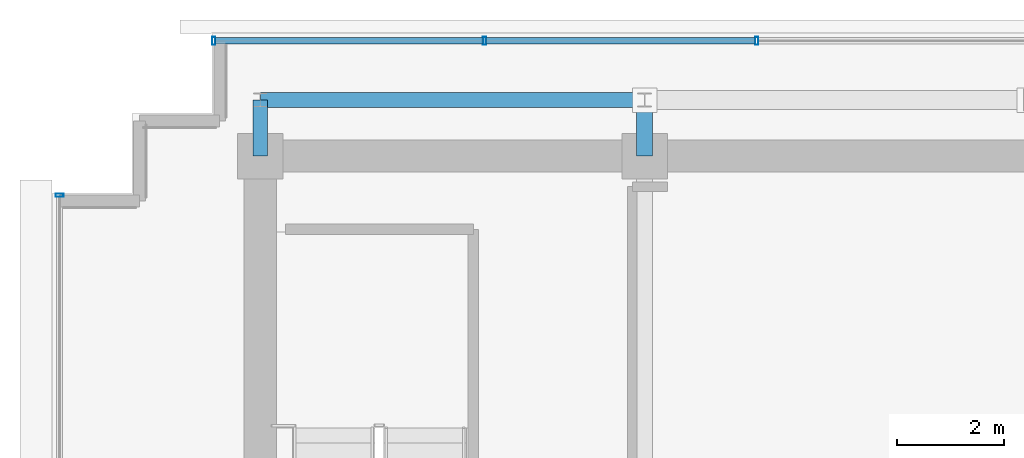
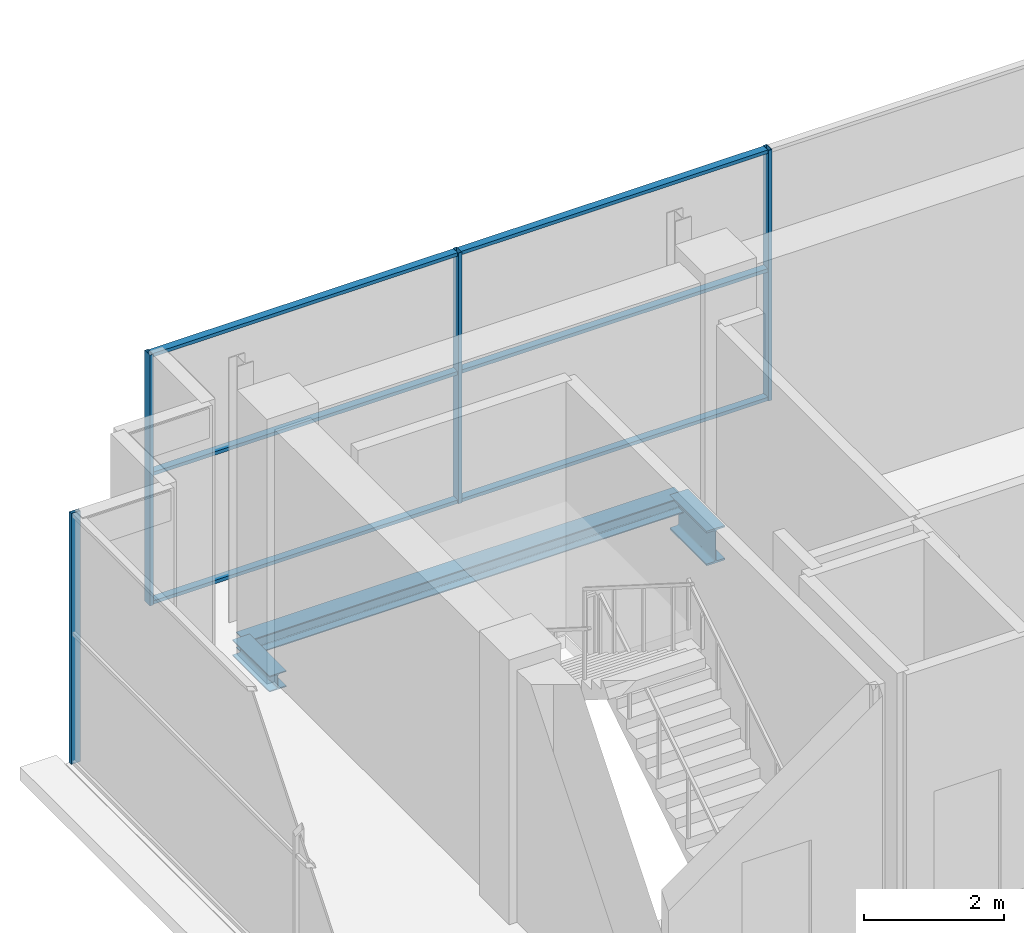
# One storey, part 16 of 28: 10 members, 3 beams, 2 elements without a shape of their own.
"""IFC4 building model written with IfcOpenShell, lengths in metres."""

from ifc_helpers import new_model, si_unit, direction, frame, origin, origin_2d, place, context, subcontext, project, spatial, hollow_rectangle, i_section, extrude, source, transform, mapped, material, layer, layer_set, material_profile, profile_set, type_object, element, aggregate, save


model = new_model("IFC4")

# Units and contexts
model_context = context("Model", 3, precision=1e-05, world=origin(), true_north=direction((0.0, 1.0)))
body_context = subcontext(model_context, "Body", "Model", "MODEL_VIEW")
ifc_project = project(units=[si_unit("LENGTHUNIT", "METRE"), si_unit("AREAUNIT", "SQUARE_METRE"), si_unit("VOLUMEUNIT", "CUBIC_METRE"), si_unit("PLANEANGLEUNIT", "RADIAN"), si_unit("MASSUNIT", "GRAM", prefix="KILO")], contexts=[model_context])

# Site, building, storey
site_placement = place(None, origin())
site = spatial("IfcSite", under=ifc_project, at=site_placement, CompositionType="ELEMENT")
building_placement = place(site_placement, origin())
building = spatial("IfcBuilding", under=site, at=building_placement, Name="Zarnakvel Exchange Tower", CompositionType="ELEMENT")
storey_placement = place(building_placement, frame((0.0, 0.0, 290.0)))
storey = spatial("IfcBuildingStorey", under=building, at=storey_placement, Name="Crown L81", CompositionType="ELEMENT", Elevation=290.0)

# Beams
ifc_material_1 = material(Name="Steel S355", Category="steel")
ifc_material_profile_1 = material_profile(ifc_material_1, i_section(OverallWidth=0.300048828125, OverallDepth=0.60009765625, WebThickness=0.015380859375, FlangeThickness=0.030029296875, FilletRadius=0.027099609375, at=origin_2d()))
ifc_profile_set_1 = profile_set([ifc_material_profile_1], Name="Steel S355")
beam_type_1 = type_object("IfcBeamType", Name="G-04", PredefinedType="BEAM", material=ifc_profile_set_1)
beam_1_placement = place(storey_placement, frame((-7.199951171875, 13.5, -0.52001953125), z_axis=(0.0, 1.0, 0.0), x_axis=(-1.0, 0.0, 0.0)))
element("IfcBeam", 1, at=beam_1_placement, inside=storey, type_object=beam_type_1, Name="Crown L81 Tower N-S Frame Beam", PredefinedType="BEAM", context=body_context, shape_type="SweptSolid", body=[
    extrude(i_section(OverallWidth=0.300048828125, OverallDepth=0.60009765625, WebThickness=0.015380859375, FlangeThickness=0.030029296875, FilletRadius=0.027099609375, at=origin_2d()), origin(), (0.0, 0.0, 1.0), 1.050048828125),
])
ifc_material_profile_2 = material_profile(ifc_material_1, i_section(OverallWidth=0.280029296875, OverallDepth=0.280029296875, WebThickness=0.010498046875, FlangeThickness=0.01806640625, FilletRadius=0.02392578125, at=origin_2d()))
ifc_profile_set_2 = profile_set([ifc_material_profile_2], Name="Steel S355")
beam_type_2 = type_object("IfcBeamType", Name="SP-04", PredefinedType="SPANDREL", material=ifc_profile_set_2)
beam_2_placement = place(storey_placement, frame((-14.39990234375, 14.550048828125, -0.360107421875), z_axis=(1.0, 0.0, 0.0), x_axis=(0.0, 1.0, 0.0)))
element("IfcBeam", 2, at=beam_2_placement, inside=storey, type_object=beam_type_2, Name="Crown L81 Tower E-W Frame Beam", PredefinedType="SPANDREL", context=body_context, shape_type="SweptSolid", body=[
    extrude(i_section(OverallWidth=0.280029296875, OverallDepth=0.280029296875, WebThickness=0.010498046875, FlangeThickness=0.01806640625, FilletRadius=0.02392578125, at=origin_2d()), origin(), (0.0, 0.0, 1.0), 7.199951171875),
])
beam_3_placement = place(storey_placement, frame((-14.39990234375, 13.5, -0.360107421875), z_axis=(0.0, 1.0, 0.0), x_axis=(-1.0, 0.0, 0.0)))
element("IfcBeam", 3, at=beam_3_placement, inside=storey, type_object=beam_type_2, Name="Crown L81 Tower N-S Frame Beam", PredefinedType="SPANDREL", context=body_context, shape_type="SweptSolid", body=[
    extrude(i_section(OverallWidth=0.280029296875, OverallDepth=0.280029296875, WebThickness=0.010498046875, FlangeThickness=0.01806640625, FilletRadius=0.02392578125, at=origin_2d()), origin(), (0.0, 0.0, 1.0), 1.050048828125),
])

# Curtain wall, members
ifc_material_2 = material(Name="Architectural Bronze Anodised Aluminium", Category="aluminium")
ifc_layer = layer(ifc_material_2, 0.14990234375)
ifc_layer_set = layer_set([ifc_layer], Name="Architectural Bronze Anodised Aluminium")
curtain_wall_type = type_object("IfcCurtainWallType", Name="CW-07", PredefinedType="NOTDEFINED", material=ifc_layer_set)
curtain_wall_1_placement = place(storey_placement, origin())
curtain_wall_1 = element("IfcCurtainWall", 4, at=curtain_wall_1_placement, inside=storey, type_object=curtain_wall_type, Name="Crown L81 Curtain Wall CW-Crown L81-N (CW-07)", PredefinedType="NOTDEFINED")
ifc_material_profile_3 = material_profile(ifc_material_2, hollow_rectangle(XDim=0.14990234375, YDim=0.06005859375, WallThickness=0.00390625, at=origin_2d()))
ifc_profile_set_3 = profile_set([ifc_material_profile_3], Name="Architectural Bronze Anodised Aluminium")
member_type_1 = type_object("IfcMemberType", Name="CWM-07", PredefinedType="MULLION", material=ifc_profile_set_3)
shared_shape_1 = source(origin(), body_context, "Body", "SweptSolid", [
    extrude(hollow_rectangle(XDim=0.14990234375, YDim=0.06005859375, WallThickness=0.00390625, at=origin_2d()), origin(), (0.0, 0.0, 1.0), 4.360107421875),
])
member_1_placement = place(storey_placement, frame((-15.27001953125, 15.659912109375, 0.0), z_axis=(0.0, 0.0, 1.0), x_axis=(0.0, 1.0, 0.0)))
member_1 = element("IfcMember", 5, at=member_1_placement, type_object=member_type_1, Name="CW-07 mullion 1", PredefinedType="MULLION", context=body_context, shape_type="MappedRepresentation", body=[
    mapped(shared_shape_1, transform((0.0, 0.0, 0.0), x_axis=(1.0, 0.0, 0.0), y_axis=(0.0, 1.0, 0.0), z_axis=(0.0, 0.0, 1.0), scale=1.0)),
])
member_2_placement = place(storey_placement, frame((-10.199951171875, 15.659912109375, 0.0), z_axis=(0.0, 0.0, 1.0), x_axis=(0.0, 1.0, 0.0)))
member_2 = element("IfcMember", 6, at=member_2_placement, type_object=member_type_1, Name="CW-07 mullion 2", PredefinedType="MULLION", context=body_context, shape_type="MappedRepresentation", body=[
    mapped(shared_shape_1, transform((0.0, 0.0, 0.0), x_axis=(1.0, 0.0, 0.0), y_axis=(0.0, 1.0, 0.0), z_axis=(0.0, 0.0, 1.0), scale=1.0)),
])
member_3_placement = place(storey_placement, frame((-5.10009765625, 15.659912109375, 0.0), z_axis=(0.0, 0.0, 1.0), x_axis=(0.0, 1.0, 0.0)))
member_3 = element("IfcMember", 7, at=member_3_placement, type_object=member_type_1, Name="CW-07 mullion 3", PredefinedType="MULLION", context=body_context, shape_type="MappedRepresentation", body=[
    mapped(shared_shape_1, transform((0.0, 0.0, 0.0), x_axis=(1.0, 0.0, 0.0), y_axis=(0.0, 1.0, 0.0), z_axis=(0.0, 0.0, 1.0), scale=1.0)),
])

# Curtain wall, member
curtain_wall_2_placement = place(storey_placement, origin())
curtain_wall_2 = element("IfcCurtainWall", 8, at=curtain_wall_2_placement, inside=storey, type_object=curtain_wall_type, Name="Crown L81 Curtain Wall CW-Crown L81-W (CW-07)", PredefinedType="NOTDEFINED")
member_4_placement = place(storey_placement, frame((-18.159912109375, 12.77001953125, 0.0), z_axis=(0.0, 0.0, 1.0), x_axis=(-1.0, 0.0, 0.0)))
member_4 = element("IfcMember", 9, at=member_4_placement, type_object=member_type_1, Name="CW-07 mullion 5", PredefinedType="MULLION", context=body_context, shape_type="MappedRepresentation", body=[
    mapped(shared_shape_1, transform((0.0, 0.0, 0.0), x_axis=(1.0, 0.0, 0.0), y_axis=(0.0, 1.0, 0.0), z_axis=(0.0, 0.0, 1.0), scale=1.0)),
])
aggregate(curtain_wall_2, [member_4])

# Member
ifc_material_profile_4 = material_profile(ifc_material_2, hollow_rectangle(XDim=0.1201171875, YDim=0.06005859375, WallThickness=0.00390625, at=origin_2d()))
ifc_profile_set_4 = profile_set([ifc_material_profile_4], Name="Architectural Bronze Anodised Aluminium")
member_type_2 = type_object("IfcMemberType", Name="CWT-07", PredefinedType="USERDEFINED", material=ifc_profile_set_4)
shared_shape_2 = source(origin(), body_context, "Body", "SweptSolid", [
    extrude(hollow_rectangle(XDim=0.1201171875, YDim=0.06005859375, WallThickness=0.00390625, at=origin_2d()), origin(), (0.0, 0.0, 1.0), 5.010009765625),
])
member_5_placement = place(storey_placement, frame((-15.239990234375, 15.659912109375, 0.030029296875), z_axis=(1.0, 0.0, 0.0), x_axis=(0.0, 1.0, 0.0)))
member_5 = element("IfcMember", 10, at=member_5_placement, type_object=member_type_2, Name="CW-07 transom 1.1", ObjectType="TRANSOM", PredefinedType="USERDEFINED", context=body_context, shape_type="MappedRepresentation", body=[
    mapped(shared_shape_2, transform((0.0, 0.0, 0.0), x_axis=(1.0, 0.0, 0.0), y_axis=(0.0, 1.0, 0.0), z_axis=(0.0, 0.0, 1.0), scale=1.0)),
])

member_6_placement = place(storey_placement, frame((-15.239990234375, 15.659912109375, 2.26708984375), z_axis=(1.0, 0.0, 0.0), x_axis=(0.0, 1.0, 0.0)))
member_6 = element("IfcMember", 11, at=member_6_placement, type_object=member_type_2, Name="CW-07 transom 1.2", ObjectType="TRANSOM", PredefinedType="USERDEFINED", context=body_context, shape_type="MappedRepresentation", body=[
    mapped(shared_shape_2, transform((0.0, 0.0, 0.0), x_axis=(1.0, 0.0, 0.0), y_axis=(0.0, 1.0, 0.0), z_axis=(0.0, 0.0, 1.0), scale=1.0)),
])

member_7_placement = place(storey_placement, frame((-15.239990234375, 15.659912109375, 4.330078125), z_axis=(1.0, 0.0, 0.0), x_axis=(0.0, 1.0, 0.0)))
member_7 = element("IfcMember", 12, at=member_7_placement, type_object=member_type_2, Name="CW-07 transom 1.3", ObjectType="TRANSOM", PredefinedType="USERDEFINED", context=body_context, shape_type="MappedRepresentation", body=[
    mapped(shared_shape_2, transform((0.0, 0.0, 0.0), x_axis=(1.0, 0.0, 0.0), y_axis=(0.0, 1.0, 0.0), z_axis=(0.0, 0.0, 1.0), scale=1.0)),
])

shared_shape_3 = source(origin(), body_context, "Body", "SweptSolid", [
    extrude(hollow_rectangle(XDim=0.1201171875, YDim=0.06005859375, WallThickness=0.00390625, at=origin_2d()), origin(), (0.0, 0.0, 1.0), 5.0400390625),
])
member_8_placement = place(storey_placement, frame((-10.169921875, 15.659912109375, 0.030029296875), z_axis=(1.0, 0.0, 0.0), x_axis=(0.0, 1.0, 0.0)))
member_8 = element("IfcMember", 13, at=member_8_placement, type_object=member_type_2, Name="CW-07 transom 2.1", ObjectType="TRANSOM", PredefinedType="USERDEFINED", context=body_context, shape_type="MappedRepresentation", body=[
    mapped(shared_shape_3, transform((0.0, 0.0, 0.0), x_axis=(1.0, 0.0, 0.0), y_axis=(0.0, 1.0, 0.0), z_axis=(0.0, 0.0, 1.0), scale=1.0)),
])

member_9_placement = place(storey_placement, frame((-10.169921875, 15.659912109375, 2.26708984375), z_axis=(1.0, 0.0, 0.0), x_axis=(0.0, 1.0, 0.0)))
member_9 = element("IfcMember", 14, at=member_9_placement, type_object=member_type_2, Name="CW-07 transom 2.2", ObjectType="TRANSOM", PredefinedType="USERDEFINED", context=body_context, shape_type="MappedRepresentation", body=[
    mapped(shared_shape_3, transform((0.0, 0.0, 0.0), x_axis=(1.0, 0.0, 0.0), y_axis=(0.0, 1.0, 0.0), z_axis=(0.0, 0.0, 1.0), scale=1.0)),
])

member_10_placement = place(storey_placement, frame((-10.169921875, 15.659912109375, 4.330078125), z_axis=(1.0, 0.0, 0.0), x_axis=(0.0, 1.0, 0.0)))
member_10 = element("IfcMember", 15, at=member_10_placement, type_object=member_type_2, Name="CW-07 transom 2.3", ObjectType="TRANSOM", PredefinedType="USERDEFINED", context=body_context, shape_type="MappedRepresentation", body=[
    mapped(shared_shape_3, transform((0.0, 0.0, 0.0), x_axis=(1.0, 0.0, 0.0), y_axis=(0.0, 1.0, 0.0), z_axis=(0.0, 0.0, 1.0), scale=1.0)),
])

aggregate(curtain_wall_1, [member_1, member_2, member_3, member_5, member_6, member_7, member_8, member_9, member_10])

save(model, "model.ifc")
